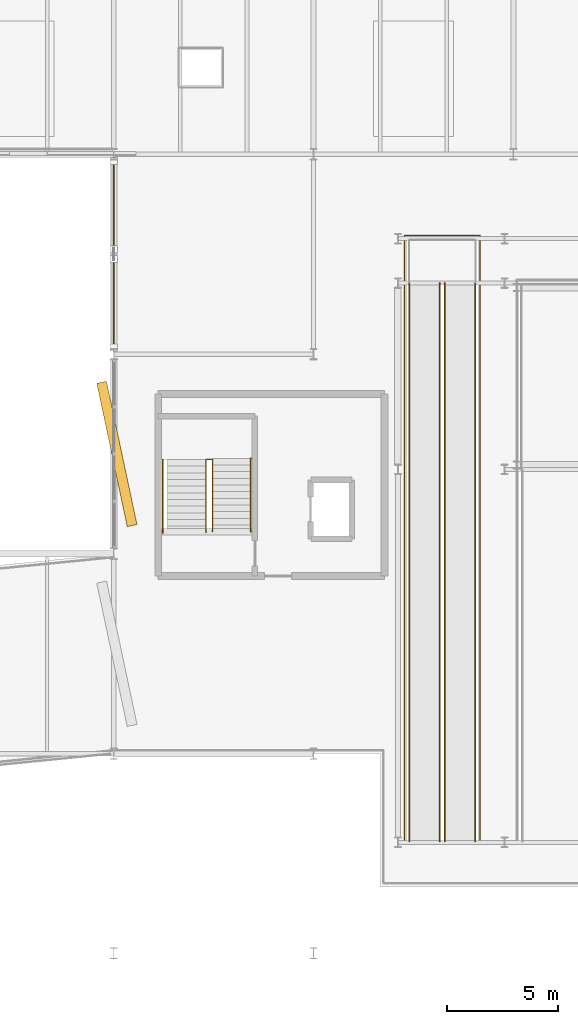
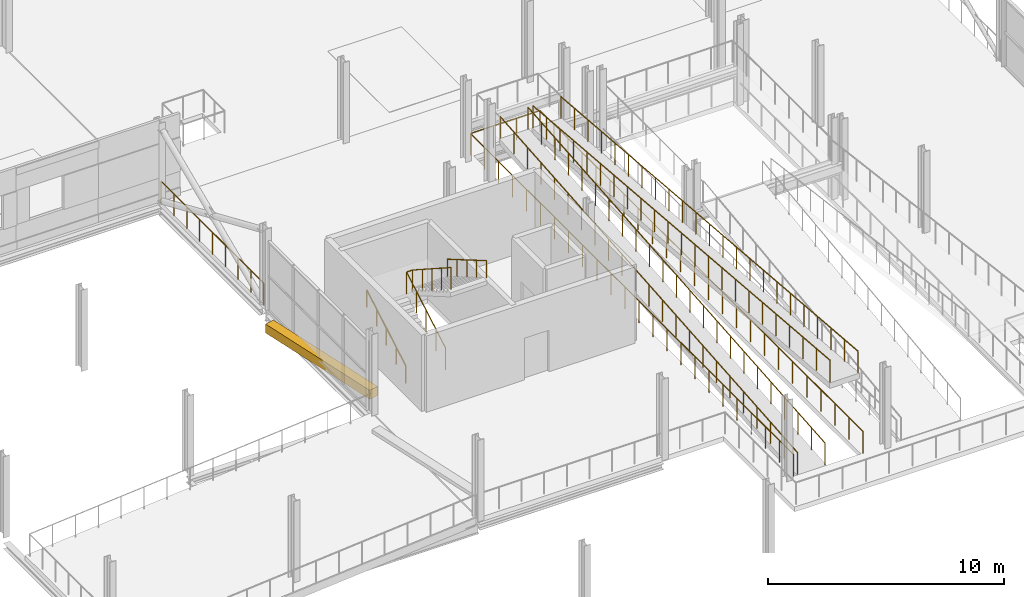
# One storey, part 126 of 135: 9 railings, 1 shading device.
"""IFC4 building model written with IfcOpenShell, lengths in metres."""

from ifc_helpers import new_model, si_unit, direction, frame, origin, origin_2d, place, context, subcontext, project, spatial, rectangle, circle, extrude, material, layer, layer_set, type_object, element, save


model = new_model("IFC4")

# Units and contexts
model_context = context("Model", 3, precision=1e-05, world=origin(), true_north=direction((0.0, 1.0)))
body_context = subcontext(model_context, "Body", "Model", "MODEL_VIEW")
ifc_project = project(units=[si_unit("LENGTHUNIT", "METRE"), si_unit("AREAUNIT", "SQUARE_METRE"), si_unit("VOLUMEUNIT", "CUBIC_METRE"), si_unit("PLANEANGLEUNIT", "RADIAN"), si_unit("MASSUNIT", "GRAM", prefix="KILO")], contexts=[model_context])

# Site, building, storey
site_placement = place(None, origin())
site = spatial("IfcSite", under=ifc_project, at=site_placement, CompositionType="ELEMENT")
building_placement = place(site_placement, origin())
building = spatial("IfcBuilding", under=site, at=building_placement, Name="Deido Ridge Mobility Hub", CompositionType="ELEMENT")
storey_placement = place(building_placement, frame((0.0, 0.0, 4.199951171875)))
storey = spatial("IfcBuildingStorey", under=building, at=storey_placement, Name="L01", CompositionType="ELEMENT", Elevation=4.199951171875)

# Railings
ifc_material_1 = material(Name="Galvanised steel work", Category="steel")
railing_type_1 = type_object("IfcRailingType", Name="RL-GRD-EXT-1150", PredefinedType="GUARDRAIL", material=ifc_material_1)
railing_1_placement = place(storey_placement, frame((72.0, 72.14990234375, 0.0)))
element("IfcRailing", 1, at=railing_1_placement, inside=storey, type_object=railing_type_1, Name="Braced bay perimeter guard (L01)", PredefinedType="GUARDRAIL", context=body_context, shape_type="SweptSolid", body=[
    extrude(circle(Radius=0.02392578125, at=origin_2d()), frame((0.0, 0.0, 1.1259765625), z_axis=(0.0, 1.0, 0.0), x_axis=(-1.0, 0.0, 0.0)), (0.0, 0.0, 1.0), 8.7001953125),
    extrude(circle(Radius=0.02099609375, at=origin_2d()), origin(), (0.0, 0.0, 1.0), 1.101806640625),
    extrude(circle(Radius=0.02099609375, at=origin_2d()), frame((0.0, 1.08740234375, 0.0)), (0.0, 0.0, 1.0), 1.101806640625),
    extrude(circle(Radius=0.02099609375, at=origin_2d()), frame((0.0, 2.175048828125, 0.0)), (0.0, 0.0, 1.0), 1.101806640625),
    extrude(circle(Radius=0.02099609375, at=origin_2d()), frame((0.0, 3.2626953125, 0.0)), (0.0, 0.0, 1.0), 1.101806640625),
    extrude(circle(Radius=0.02099609375, at=origin_2d()), frame((0.0, 4.35009765625, 0.0)), (0.0, 0.0, 1.0), 1.101806640625),
    extrude(circle(Radius=0.02099609375, at=origin_2d()), frame((0.0, 5.4375, 0.0)), (0.0, 0.0, 1.0), 1.101806640625),
    extrude(circle(Radius=0.02099609375, at=origin_2d()), frame((0.0, 6.525146484375, 0.0)), (0.0, 0.0, 1.0), 1.101806640625),
    extrude(circle(Radius=0.02099609375, at=origin_2d()), frame((0.0, 7.61279296875, 0.0)), (0.0, 0.0, 1.0), 1.101806640625),
    extrude(circle(Radius=0.02099609375, at=origin_2d()), frame((0.0, 8.7001953125, 0.0)), (0.0, 0.0, 1.0), 1.101806640625),
])
railing_2_placement = place(storey_placement, frame((85.10009765625, 50.0, 0.0)))
element("IfcRailing", 2, at=railing_2_placement, inside=storey, type_object=railing_type_1, Name="Cycle ramp well guard (L01)", PredefinedType="GUARDRAIL", context=body_context, shape_type="SweptSolid", body=[
    extrude(circle(Radius=0.02392578125, at=origin_2d()), frame((0.0, 0.0, 1.1259765625), z_axis=(0.0, 1.0, 0.0), x_axis=(-1.0, 0.0, 0.0)), (0.0, 0.0, 1.0), 27.35009765625),
    extrude(circle(Radius=0.02392578125, at=origin_2d()), frame((0.0, 27.35009765625, 1.1259765625), z_axis=(1.0, 0.0, 0.0), x_axis=(0.0, 1.0, 0.0)), (0.0, 0.0, 1.0), 3.39990234375),
    extrude(circle(Radius=0.02392578125, at=origin_2d()), frame((3.39990234375, 27.35009765625, 1.1259765625), z_axis=(0.0, -1.0, 0.0), x_axis=(1.0, 0.0, 0.0)), (0.0, 0.0, 1.0), 27.35009765625),
    extrude(circle(Radius=0.02099609375, at=origin_2d()), origin(), (0.0, 0.0, 1.0), 1.101806640625),
    extrude(circle(Radius=0.02099609375, at=origin_2d()), frame((0.0, 1.189208984375, 0.0)), (0.0, 0.0, 1.0), 1.101806640625),
    extrude(circle(Radius=0.02099609375, at=origin_2d()), frame((0.0, 2.378173828125, 0.0)), (0.0, 0.0, 1.0), 1.101806640625),
    extrude(circle(Radius=0.02099609375, at=origin_2d()), frame((0.0, 3.5673828125, 0.0)), (0.0, 0.0, 1.0), 1.101806640625),
    extrude(circle(Radius=0.02099609375, at=origin_2d()), frame((0.0, 4.756591796875, 0.0)), (0.0, 0.0, 1.0), 1.101806640625),
    extrude(circle(Radius=0.02099609375, at=origin_2d()), frame((0.0, 5.945556640625, 0.0)), (0.0, 0.0, 1.0), 1.101806640625),
    extrude(circle(Radius=0.02099609375, at=origin_2d()), frame((0.0, 7.134765625, 0.0)), (0.0, 0.0, 1.0), 1.101806640625),
    extrude(circle(Radius=0.02099609375, at=origin_2d()), frame((0.0, 8.323974609375, 0.0)), (0.0, 0.0, 1.0), 1.101806640625),
    extrude(circle(Radius=0.02099609375, at=origin_2d()), frame((0.0, 9.51318359375, 0.0)), (0.0, 0.0, 1.0), 1.101806640625),
    extrude(circle(Radius=0.02099609375, at=origin_2d()), frame((0.0, 10.7021484375, 0.0)), (0.0, 0.0, 1.0), 1.101806640625),
    extrude(circle(Radius=0.02099609375, at=origin_2d()), frame((0.0, 11.891357421875, 0.0)), (0.0, 0.0, 1.0), 1.101806640625),
    extrude(circle(Radius=0.02099609375, at=origin_2d()), frame((0.0, 13.08056640625, 0.0)), (0.0, 0.0, 1.0), 1.101806640625),
    extrude(circle(Radius=0.02099609375, at=origin_2d()), frame((0.0, 14.26953125, 0.0)), (0.0, 0.0, 1.0), 1.101806640625),
    extrude(circle(Radius=0.02099609375, at=origin_2d()), frame((0.0, 15.458740234375, 0.0)), (0.0, 0.0, 1.0), 1.101806640625),
    extrude(circle(Radius=0.02099609375, at=origin_2d()), frame((0.0, 16.64794921875, 0.0)), (0.0, 0.0, 1.0), 1.101806640625),
    extrude(circle(Radius=0.02099609375, at=origin_2d()), frame((0.0, 17.8369140625, 0.0)), (0.0, 0.0, 1.0), 1.101806640625),
    extrude(circle(Radius=0.02099609375, at=origin_2d()), frame((0.0, 19.026123046875, 0.0)), (0.0, 0.0, 1.0), 1.101806640625),
    extrude(circle(Radius=0.02099609375, at=origin_2d()), frame((0.0, 20.21533203125, 0.0)), (0.0, 0.0, 1.0), 1.101806640625),
    extrude(circle(Radius=0.02099609375, at=origin_2d()), frame((0.0, 21.404541015625, 0.0)), (0.0, 0.0, 1.0), 1.101806640625),
    extrude(circle(Radius=0.02099609375, at=origin_2d()), frame((0.0, 22.593505859375, 0.0)), (0.0, 0.0, 1.0), 1.101806640625),
    extrude(circle(Radius=0.02099609375, at=origin_2d()), frame((0.0, 23.78271484375, 0.0)), (0.0, 0.0, 1.0), 1.101806640625),
    extrude(circle(Radius=0.02099609375, at=origin_2d()), frame((0.0, 24.971923828125, 0.0)), (0.0, 0.0, 1.0), 1.101806640625),
    extrude(circle(Radius=0.02099609375, at=origin_2d()), frame((0.0, 26.160888671875, 0.0)), (0.0, 0.0, 1.0), 1.101806640625),
    extrude(circle(Radius=0.02099609375, at=origin_2d()), frame((0.0, 27.35009765625, 0.0)), (0.0, 0.0, 1.0), 1.101806640625),
    extrude(circle(Radius=0.02099609375, at=origin_2d()), frame((1.13330078125, 27.35009765625, 0.0)), (0.0, 0.0, 1.0), 1.101806640625),
    extrude(circle(Radius=0.02099609375, at=origin_2d()), frame((2.2666015625, 27.35009765625, 0.0)), (0.0, 0.0, 1.0), 1.101806640625),
    extrude(circle(Radius=0.02099609375, at=origin_2d()), frame((3.39990234375, 27.35009765625, 0.0)), (0.0, 0.0, 1.0), 1.101806640625),
    extrude(circle(Radius=0.02099609375, at=origin_2d()), frame((3.39990234375, 26.160888671875, 0.0)), (0.0, 0.0, 1.0), 1.101806640625),
    extrude(circle(Radius=0.02099609375, at=origin_2d()), frame((3.39990234375, 24.971923828125, 0.0)), (0.0, 0.0, 1.0), 1.101806640625),
    extrude(circle(Radius=0.02099609375, at=origin_2d()), frame((3.39990234375, 23.78271484375, 0.0)), (0.0, 0.0, 1.0), 1.101806640625),
    extrude(circle(Radius=0.02099609375, at=origin_2d()), frame((3.39990234375, 22.593505859375, 0.0)), (0.0, 0.0, 1.0), 1.101806640625),
    extrude(circle(Radius=0.02099609375, at=origin_2d()), frame((3.39990234375, 21.404541015625, 0.0)), (0.0, 0.0, 1.0), 1.101806640625),
    extrude(circle(Radius=0.02099609375, at=origin_2d()), frame((3.39990234375, 20.21533203125, 0.0)), (0.0, 0.0, 1.0), 1.101806640625),
    extrude(circle(Radius=0.02099609375, at=origin_2d()), frame((3.39990234375, 19.026123046875, 0.0)), (0.0, 0.0, 1.0), 1.101806640625),
    extrude(circle(Radius=0.02099609375, at=origin_2d()), frame((3.39990234375, 17.8369140625, 0.0)), (0.0, 0.0, 1.0), 1.101806640625),
    extrude(circle(Radius=0.02099609375, at=origin_2d()), frame((3.39990234375, 16.64794921875, 0.0)), (0.0, 0.0, 1.0), 1.101806640625),
    extrude(circle(Radius=0.02099609375, at=origin_2d()), frame((3.39990234375, 15.458740234375, 0.0)), (0.0, 0.0, 1.0), 1.101806640625),
    extrude(circle(Radius=0.02099609375, at=origin_2d()), frame((3.39990234375, 14.26953125, 0.0)), (0.0, 0.0, 1.0), 1.101806640625),
    extrude(circle(Radius=0.02099609375, at=origin_2d()), frame((3.39990234375, 13.08056640625, 0.0)), (0.0, 0.0, 1.0), 1.101806640625),
    extrude(circle(Radius=0.02099609375, at=origin_2d()), frame((3.39990234375, 11.891357421875, 0.0)), (0.0, 0.0, 1.0), 1.101806640625),
    extrude(circle(Radius=0.02099609375, at=origin_2d()), frame((3.39990234375, 10.7021484375, 0.0)), (0.0, 0.0, 1.0), 1.101806640625),
    extrude(circle(Radius=0.02099609375, at=origin_2d()), frame((3.39990234375, 9.51318359375, 0.0)), (0.0, 0.0, 1.0), 1.101806640625),
    extrude(circle(Radius=0.02099609375, at=origin_2d()), frame((3.39990234375, 8.323974609375, 0.0)), (0.0, 0.0, 1.0), 1.101806640625),
    extrude(circle(Radius=0.02099609375, at=origin_2d()), frame((3.39990234375, 7.134765625, 0.0)), (0.0, 0.0, 1.0), 1.101806640625),
    extrude(circle(Radius=0.02099609375, at=origin_2d()), frame((3.39990234375, 5.945556640625, 0.0)), (0.0, 0.0, 1.0), 1.101806640625),
    extrude(circle(Radius=0.02099609375, at=origin_2d()), frame((3.39990234375, 4.756591796875, 0.0)), (0.0, 0.0, 1.0), 1.101806640625),
    extrude(circle(Radius=0.02099609375, at=origin_2d()), frame((3.39990234375, 3.5673828125, 0.0)), (0.0, 0.0, 1.0), 1.101806640625),
    extrude(circle(Radius=0.02099609375, at=origin_2d()), frame((3.39990234375, 2.378173828125, 0.0)), (0.0, 0.0, 1.0), 1.101806640625),
    extrude(circle(Radius=0.02099609375, at=origin_2d()), frame((3.39990234375, 1.189208984375, 0.0)), (0.0, 0.0, 1.0), 1.101806640625),
    extrude(circle(Radius=0.02099609375, at=origin_2d()), frame((3.39990234375, 0.0, 0.0)), (0.0, 0.0, 1.0), 1.101806640625),
])
railing_3_placement = place(storey_placement, frame((85.320068359375, 50.050048828125, 0.0)))
element("IfcRailing", 3, at=railing_3_placement, inside=storey, type_object=railing_type_1, Name="Cycle ramp F1 guard (L01)", PredefinedType="GUARDRAIL", context=body_context, shape_type="SweptSolid", body=[
    extrude(circle(Radius=0.02392578125, at=origin_2d()), frame((0.0, 0.0, 1.1259765625), z_axis=(0.0, 0.996531733804, 0.083213601784), x_axis=(-1.0, 0.0, 0.0)), (0.0, 0.0, 1.0), 25.237548828125),
    extrude(circle(Radius=0.02099609375, at=origin_2d()), origin(), (0.0, 0.0, 1.0), 1.101806640625),
    extrude(circle(Radius=0.02099609375, at=origin_2d()), frame((0.0, 1.14306640625, 0.095458984375)), (0.0, 0.0, 1.0), 1.101806640625),
    extrude(circle(Radius=0.02099609375, at=origin_2d()), frame((0.0, 2.286376953125, 0.19091796875)), (0.0, 0.0, 1.0), 1.101806640625),
    extrude(circle(Radius=0.02099609375, at=origin_2d()), frame((0.0, 3.429443359375, 0.286376953125)), (0.0, 0.0, 1.0), 1.101806640625),
    extrude(circle(Radius=0.02099609375, at=origin_2d()), frame((0.0, 4.57275390625, 0.3818359375)), (0.0, 0.0, 1.0), 1.101806640625),
    extrude(circle(Radius=0.02099609375, at=origin_2d()), frame((0.0, 5.7158203125, 0.477294921875)), (0.0, 0.0, 1.0), 1.101806640625),
    extrude(circle(Radius=0.02099609375, at=origin_2d()), frame((0.0, 6.859130859375, 0.57275390625)), (0.0, 0.0, 1.0), 1.101806640625),
    extrude(circle(Radius=0.02099609375, at=origin_2d()), frame((0.0, 8.002197265625, 0.668212890625)), (0.0, 0.0, 1.0), 1.101806640625),
    extrude(circle(Radius=0.02099609375, at=origin_2d()), frame((0.0, 9.1455078125, 0.763671875)), (0.0, 0.0, 1.0), 1.101806640625),
    extrude(circle(Radius=0.02099609375, at=origin_2d()), frame((0.0, 10.28857421875, 0.859130859375)), (0.0, 0.0, 1.0), 1.101806640625),
    extrude(circle(Radius=0.02099609375, at=origin_2d()), frame((0.0, 11.431884765625, 0.95458984375)), (0.0, 0.0, 1.0), 1.101806640625),
    extrude(circle(Radius=0.02099609375, at=origin_2d()), frame((0.0, 12.574951171875, 1.050048828125)), (0.0, 0.0, 1.0), 1.101806640625),
    extrude(circle(Radius=0.02099609375, at=origin_2d()), frame((0.0, 13.718017578125, 1.1455078125)), (0.0, 0.0, 1.0), 1.101806640625),
    extrude(circle(Radius=0.02099609375, at=origin_2d()), frame((0.0, 14.861328125, 1.240966796875)), (0.0, 0.0, 1.0), 1.101806640625),
    extrude(circle(Radius=0.02099609375, at=origin_2d()), frame((0.0, 16.00439453125, 1.33642578125)), (0.0, 0.0, 1.0), 1.101806640625),
    extrude(circle(Radius=0.02099609375, at=origin_2d()), frame((0.0, 17.147705078125, 1.431884765625)), (0.0, 0.0, 1.0), 1.101806640625),
    extrude(circle(Radius=0.02099609375, at=origin_2d()), frame((0.0, 18.290771484375, 1.52734375)), (0.0, 0.0, 1.0), 1.101806640625),
    extrude(circle(Radius=0.02099609375, at=origin_2d()), frame((0.0, 19.43408203125, 1.622802734375)), (0.0, 0.0, 1.0), 1.101806640625),
    extrude(circle(Radius=0.02099609375, at=origin_2d()), frame((0.0, 20.5771484375, 1.71826171875)), (0.0, 0.0, 1.0), 1.101806640625),
    extrude(circle(Radius=0.02099609375, at=origin_2d()), frame((0.0, 21.720458984375, 1.813720703125)), (0.0, 0.0, 1.0), 1.101806640625),
    extrude(circle(Radius=0.02099609375, at=origin_2d()), frame((0.0, 22.863525390625, 1.9091796875)), (0.0, 0.0, 1.0), 1.101806640625),
    extrude(circle(Radius=0.02099609375, at=origin_2d()), frame((0.0, 24.0068359375, 2.004638671875)), (0.0, 0.0, 1.0), 1.101806640625),
    extrude(circle(Radius=0.02099609375, at=origin_2d()), frame((0.0, 25.14990234375, 2.10009765625)), (0.0, 0.0, 1.0), 1.101806640625),
])
railing_4_placement = place(storey_placement, frame((86.679931640625, 50.050048828125, 0.0)))
element("IfcRailing", 4, at=railing_4_placement, inside=storey, type_object=railing_type_1, Name="Cycle ramp F1 guard (L01)", PredefinedType="GUARDRAIL", context=body_context, shape_type="SweptSolid", body=[
    extrude(circle(Radius=0.02392578125, at=origin_2d()), frame((0.0, 0.0, 1.1259765625), z_axis=(0.0, 0.996531733804, 0.083213601784), x_axis=(-1.0, 0.0, 0.0)), (0.0, 0.0, 1.0), 25.237548828125),
    extrude(circle(Radius=0.02099609375, at=origin_2d()), origin(), (0.0, 0.0, 1.0), 1.101806640625),
    extrude(circle(Radius=0.02099609375, at=origin_2d()), frame((0.0, 1.14306640625, 0.095458984375)), (0.0, 0.0, 1.0), 1.101806640625),
    extrude(circle(Radius=0.02099609375, at=origin_2d()), frame((0.0, 2.286376953125, 0.19091796875)), (0.0, 0.0, 1.0), 1.101806640625),
    extrude(circle(Radius=0.02099609375, at=origin_2d()), frame((0.0, 3.429443359375, 0.286376953125)), (0.0, 0.0, 1.0), 1.101806640625),
    extrude(circle(Radius=0.02099609375, at=origin_2d()), frame((0.0, 4.57275390625, 0.3818359375)), (0.0, 0.0, 1.0), 1.101806640625),
    extrude(circle(Radius=0.02099609375, at=origin_2d()), frame((0.0, 5.7158203125, 0.477294921875)), (0.0, 0.0, 1.0), 1.101806640625),
    extrude(circle(Radius=0.02099609375, at=origin_2d()), frame((0.0, 6.859130859375, 0.57275390625)), (0.0, 0.0, 1.0), 1.101806640625),
    extrude(circle(Radius=0.02099609375, at=origin_2d()), frame((0.0, 8.002197265625, 0.668212890625)), (0.0, 0.0, 1.0), 1.101806640625),
    extrude(circle(Radius=0.02099609375, at=origin_2d()), frame((0.0, 9.1455078125, 0.763671875)), (0.0, 0.0, 1.0), 1.101806640625),
    extrude(circle(Radius=0.02099609375, at=origin_2d()), frame((0.0, 10.28857421875, 0.859130859375)), (0.0, 0.0, 1.0), 1.101806640625),
    extrude(circle(Radius=0.02099609375, at=origin_2d()), frame((0.0, 11.431884765625, 0.95458984375)), (0.0, 0.0, 1.0), 1.101806640625),
    extrude(circle(Radius=0.02099609375, at=origin_2d()), frame((0.0, 12.574951171875, 1.050048828125)), (0.0, 0.0, 1.0), 1.101806640625),
    extrude(circle(Radius=0.02099609375, at=origin_2d()), frame((0.0, 13.718017578125, 1.1455078125)), (0.0, 0.0, 1.0), 1.101806640625),
    extrude(circle(Radius=0.02099609375, at=origin_2d()), frame((0.0, 14.861328125, 1.240966796875)), (0.0, 0.0, 1.0), 1.101806640625),
    extrude(circle(Radius=0.02099609375, at=origin_2d()), frame((0.0, 16.00439453125, 1.33642578125)), (0.0, 0.0, 1.0), 1.101806640625),
    extrude(circle(Radius=0.02099609375, at=origin_2d()), frame((0.0, 17.147705078125, 1.431884765625)), (0.0, 0.0, 1.0), 1.101806640625),
    extrude(circle(Radius=0.02099609375, at=origin_2d()), frame((0.0, 18.290771484375, 1.52734375)), (0.0, 0.0, 1.0), 1.101806640625),
    extrude(circle(Radius=0.02099609375, at=origin_2d()), frame((0.0, 19.43408203125, 1.622802734375)), (0.0, 0.0, 1.0), 1.101806640625),
    extrude(circle(Radius=0.02099609375, at=origin_2d()), frame((0.0, 20.5771484375, 1.71826171875)), (0.0, 0.0, 1.0), 1.101806640625),
    extrude(circle(Radius=0.02099609375, at=origin_2d()), frame((0.0, 21.720458984375, 1.813720703125)), (0.0, 0.0, 1.0), 1.101806640625),
    extrude(circle(Radius=0.02099609375, at=origin_2d()), frame((0.0, 22.863525390625, 1.9091796875)), (0.0, 0.0, 1.0), 1.101806640625),
    extrude(circle(Radius=0.02099609375, at=origin_2d()), frame((0.0, 24.0068359375, 2.004638671875)), (0.0, 0.0, 1.0), 1.101806640625),
    extrude(circle(Radius=0.02099609375, at=origin_2d()), frame((0.0, 25.14990234375, 2.10009765625)), (0.0, 0.0, 1.0), 1.101806640625),
])
railing_5_placement = place(storey_placement, frame((86.919921875, 75.199951171875, 2.10009765625)))
element("IfcRailing", 5, at=railing_5_placement, inside=storey, type_object=railing_type_1, Name="Cycle ramp F2 guard (L01)", PredefinedType="GUARDRAIL", context=body_context, shape_type="SweptSolid", body=[
    extrude(circle(Radius=0.02392578125, at=origin_2d()), frame((0.0, 0.0, 1.1259765625), z_axis=(0.0, -0.996532535954, 0.083203995008), x_axis=(1.0, 0.0, 0.0)), (0.0, 0.0, 1.0), 25.2373046875),
    extrude(circle(Radius=0.02099609375, at=origin_2d()), origin(), (0.0, 0.0, 1.0), 1.101806640625),
    extrude(circle(Radius=0.02099609375, at=origin_2d()), frame((0.0, -1.14306640625, 0.095458984375)), (0.0, 0.0, 1.0), 1.101806640625),
    extrude(circle(Radius=0.02099609375, at=origin_2d()), frame((0.0, -2.286376953125, 0.19091796875)), (0.0, 0.0, 1.0), 1.101806640625),
    extrude(circle(Radius=0.02099609375, at=origin_2d()), frame((0.0, -3.429443359375, 0.286376953125)), (0.0, 0.0, 1.0), 1.101806640625),
    extrude(circle(Radius=0.02099609375, at=origin_2d()), frame((0.0, -4.57275390625, 0.3818359375)), (0.0, 0.0, 1.0), 1.101806640625),
    extrude(circle(Radius=0.02099609375, at=origin_2d()), frame((0.0, -5.7158203125, 0.477294921875)), (0.0, 0.0, 1.0), 1.101806640625),
    extrude(circle(Radius=0.02099609375, at=origin_2d()), frame((0.0, -6.859130859375, 0.57275390625)), (0.0, 0.0, 1.0), 1.101806640625),
    extrude(circle(Radius=0.02099609375, at=origin_2d()), frame((0.0, -8.002197265625, 0.668212890625)), (0.0, 0.0, 1.0), 1.101806640625),
    extrude(circle(Radius=0.02099609375, at=origin_2d()), frame((0.0, -9.1455078125, 0.763671875)), (0.0, 0.0, 1.0), 1.101806640625),
    extrude(circle(Radius=0.02099609375, at=origin_2d()), frame((0.0, -10.28857421875, 0.859130859375)), (0.0, 0.0, 1.0), 1.101806640625),
    extrude(circle(Radius=0.02099609375, at=origin_2d()), frame((0.0, -11.431884765625, 0.95458984375)), (0.0, 0.0, 1.0), 1.101806640625),
    extrude(circle(Radius=0.02099609375, at=origin_2d()), frame((0.0, -12.574951171875, 1.0498046875)), (0.0, 0.0, 1.0), 1.101806640625),
    extrude(circle(Radius=0.02099609375, at=origin_2d()), frame((0.0, -13.718017578125, 1.145263671875)), (0.0, 0.0, 1.0), 1.101806640625),
    extrude(circle(Radius=0.02099609375, at=origin_2d()), frame((0.0, -14.861328125, 1.24072265625)), (0.0, 0.0, 1.0), 1.101806640625),
    extrude(circle(Radius=0.02099609375, at=origin_2d()), frame((0.0, -16.00439453125, 1.336181640625)), (0.0, 0.0, 1.0), 1.101806640625),
    extrude(circle(Radius=0.02099609375, at=origin_2d()), frame((0.0, -17.147705078125, 1.431640625)), (0.0, 0.0, 1.0), 1.101806640625),
    extrude(circle(Radius=0.02099609375, at=origin_2d()), frame((0.0, -18.290771484375, 1.527099609375)), (0.0, 0.0, 1.0), 1.101806640625),
    extrude(circle(Radius=0.02099609375, at=origin_2d()), frame((0.0, -19.43408203125, 1.62255859375)), (0.0, 0.0, 1.0), 1.101806640625),
    extrude(circle(Radius=0.02099609375, at=origin_2d()), frame((0.0, -20.5771484375, 1.718017578125)), (0.0, 0.0, 1.0), 1.101806640625),
    extrude(circle(Radius=0.02099609375, at=origin_2d()), frame((0.0, -21.720458984375, 1.8134765625)), (0.0, 0.0, 1.0), 1.101806640625),
    extrude(circle(Radius=0.02099609375, at=origin_2d()), frame((0.0, -22.863525390625, 1.908935546875)), (0.0, 0.0, 1.0), 1.101806640625),
    extrude(circle(Radius=0.02099609375, at=origin_2d()), frame((0.0, -24.0068359375, 2.00439453125)), (0.0, 0.0, 1.0), 1.101806640625),
    extrude(circle(Radius=0.02099609375, at=origin_2d()), frame((0.0, -25.14990234375, 2.099853515625)), (0.0, 0.0, 1.0), 1.101806640625),
])
railing_6_placement = place(storey_placement, frame((88.280029296875, 75.199951171875, 2.10009765625)))
element("IfcRailing", 6, at=railing_6_placement, inside=storey, type_object=railing_type_1, Name="Cycle ramp F2 guard (L01)", PredefinedType="GUARDRAIL", context=body_context, shape_type="SweptSolid", body=[
    extrude(circle(Radius=0.02392578125, at=origin_2d()), frame((0.0, 0.0, 1.1259765625), z_axis=(0.0, -0.996532535954, 0.083203995008), x_axis=(1.0, 0.0, 0.0)), (0.0, 0.0, 1.0), 25.2373046875),
    extrude(circle(Radius=0.02099609375, at=origin_2d()), origin(), (0.0, 0.0, 1.0), 1.101806640625),
    extrude(circle(Radius=0.02099609375, at=origin_2d()), frame((0.0, -1.14306640625, 0.095458984375)), (0.0, 0.0, 1.0), 1.101806640625),
    extrude(circle(Radius=0.02099609375, at=origin_2d()), frame((0.0, -2.286376953125, 0.19091796875)), (0.0, 0.0, 1.0), 1.101806640625),
    extrude(circle(Radius=0.02099609375, at=origin_2d()), frame((0.0, -3.429443359375, 0.286376953125)), (0.0, 0.0, 1.0), 1.101806640625),
    extrude(circle(Radius=0.02099609375, at=origin_2d()), frame((0.0, -4.57275390625, 0.3818359375)), (0.0, 0.0, 1.0), 1.101806640625),
    extrude(circle(Radius=0.02099609375, at=origin_2d()), frame((0.0, -5.7158203125, 0.477294921875)), (0.0, 0.0, 1.0), 1.101806640625),
    extrude(circle(Radius=0.02099609375, at=origin_2d()), frame((0.0, -6.859130859375, 0.57275390625)), (0.0, 0.0, 1.0), 1.101806640625),
    extrude(circle(Radius=0.02099609375, at=origin_2d()), frame((0.0, -8.002197265625, 0.668212890625)), (0.0, 0.0, 1.0), 1.101806640625),
    extrude(circle(Radius=0.02099609375, at=origin_2d()), frame((0.0, -9.1455078125, 0.763671875)), (0.0, 0.0, 1.0), 1.101806640625),
    extrude(circle(Radius=0.02099609375, at=origin_2d()), frame((0.0, -10.28857421875, 0.859130859375)), (0.0, 0.0, 1.0), 1.101806640625),
    extrude(circle(Radius=0.02099609375, at=origin_2d()), frame((0.0, -11.431884765625, 0.95458984375)), (0.0, 0.0, 1.0), 1.101806640625),
    extrude(circle(Radius=0.02099609375, at=origin_2d()), frame((0.0, -12.574951171875, 1.0498046875)), (0.0, 0.0, 1.0), 1.101806640625),
    extrude(circle(Radius=0.02099609375, at=origin_2d()), frame((0.0, -13.718017578125, 1.145263671875)), (0.0, 0.0, 1.0), 1.101806640625),
    extrude(circle(Radius=0.02099609375, at=origin_2d()), frame((0.0, -14.861328125, 1.24072265625)), (0.0, 0.0, 1.0), 1.101806640625),
    extrude(circle(Radius=0.02099609375, at=origin_2d()), frame((0.0, -16.00439453125, 1.336181640625)), (0.0, 0.0, 1.0), 1.101806640625),
    extrude(circle(Radius=0.02099609375, at=origin_2d()), frame((0.0, -17.147705078125, 1.431640625)), (0.0, 0.0, 1.0), 1.101806640625),
    extrude(circle(Radius=0.02099609375, at=origin_2d()), frame((0.0, -18.290771484375, 1.527099609375)), (0.0, 0.0, 1.0), 1.101806640625),
    extrude(circle(Radius=0.02099609375, at=origin_2d()), frame((0.0, -19.43408203125, 1.62255859375)), (0.0, 0.0, 1.0), 1.101806640625),
    extrude(circle(Radius=0.02099609375, at=origin_2d()), frame((0.0, -20.5771484375, 1.718017578125)), (0.0, 0.0, 1.0), 1.101806640625),
    extrude(circle(Radius=0.02099609375, at=origin_2d()), frame((0.0, -21.720458984375, 1.8134765625)), (0.0, 0.0, 1.0), 1.101806640625),
    extrude(circle(Radius=0.02099609375, at=origin_2d()), frame((0.0, -22.863525390625, 1.908935546875)), (0.0, 0.0, 1.0), 1.101806640625),
    extrude(circle(Radius=0.02099609375, at=origin_2d()), frame((0.0, -24.0068359375, 2.00439453125)), (0.0, 0.0, 1.0), 1.101806640625),
    extrude(circle(Radius=0.02099609375, at=origin_2d()), frame((0.0, -25.14990234375, 2.099853515625)), (0.0, 0.0, 1.0), 1.101806640625),
])
railing_type_2 = type_object("IfcRailingType", Name="RL-STAIR-GRD-1150", PredefinedType="GUARDRAIL", material=ifc_material_1)
railing_7_placement = place(storey_placement, frame((76.14990234375, 63.949951171875, 0.175048828125)))
element("IfcRailing", 7, at=railing_7_placement, inside=storey, type_object=railing_type_2, Name="ST4 inner well guard (L01)", PredefinedType="GUARDRAIL", context=body_context, shape_type="SweptSolid", body=[
    extrude(circle(Radius=0.02392578125, at=origin_2d()), frame((0.0, 0.0, 1.1259765625), z_axis=(0.0, 0.863776583165, 0.503874998761), x_axis=(-1.0, 0.0, 0.0)), (0.0, 0.0, 1.0), 3.820556640625),
    extrude(circle(Radius=0.02392578125, at=origin_2d()), frame((0.0, 3.300048828125, 3.05078125), z_axis=(1.0, 0.0, 0.0), x_axis=(0.0, 1.0, 0.0)), (0.0, 0.0, 1.0), 0.300048828125),
    extrude(circle(Radius=0.02392578125, at=origin_2d()), frame((0.300048828125, 3.300048828125, 3.05078125), z_axis=(0.0, -0.839933924917, 0.542688678501), x_axis=(1.0, 0.0, 0.0)), (0.0, 0.0, 1.0), 3.869384765625),
    extrude(circle(Radius=0.02099609375, at=origin_2d()), origin(), (0.0, 0.0, 1.0), 1.101806640625),
    extrude(circle(Radius=0.02099609375, at=origin_2d()), frame((0.0, 0.824951171875, 0.481201171875)), (0.0, 0.0, 1.0), 1.101806640625),
    extrude(circle(Radius=0.02099609375, at=origin_2d()), frame((0.0, 1.64990234375, 0.96240234375)), (0.0, 0.0, 1.0), 1.101806640625),
    extrude(circle(Radius=0.02099609375, at=origin_2d()), frame((0.0, 2.47509765625, 1.44384765625)), (0.0, 0.0, 1.0), 1.101806640625),
    extrude(circle(Radius=0.02099609375, at=origin_2d()), frame((0.0, 3.300048828125, 1.925048828125)), (0.0, 0.0, 1.0), 1.101806640625),
    extrude(circle(Radius=0.02099609375, at=origin_2d()), frame((0.300048828125, 3.300048828125, 1.925048828125)), (0.0, 0.0, 1.0), 1.101806640625),
    extrude(circle(Radius=0.02099609375, at=origin_2d()), frame((0.300048828125, 2.487548828125, 2.449951171875)), (0.0, 0.0, 1.0), 1.101806640625),
    extrude(circle(Radius=0.02099609375, at=origin_2d()), frame((0.300048828125, 1.675048828125, 2.97509765625)), (0.0, 0.0, 1.0), 1.101806640625),
    extrude(circle(Radius=0.02099609375, at=origin_2d()), frame((0.300048828125, 0.862548828125, 3.5)), (0.0, 0.0, 1.0), 1.101806640625),
    extrude(circle(Radius=0.02099609375, at=origin_2d()), frame((0.300048828125, 0.050048828125, 4.02490234375)), (0.0, 0.0, 1.0), 1.101806640625),
])
ifc_material_2 = material(Name="Stainless steel 316", Category="steel")
railing_type_3 = type_object("IfcRailingType", Name="RL-STAIR-HND-900", PredefinedType="HANDRAIL", material=ifc_material_2)
railing_8_placement = place(storey_placement, frame((74.2099609375, 63.949951171875, 0.175048828125)))
element("IfcRailing", 8, at=railing_8_placement, inside=storey, type_object=railing_type_3, Name="ST4 flight 1 handrail (L01)", PredefinedType="HANDRAIL", context=body_context, shape_type="SweptSolid", body=[
    extrude(circle(Radius=0.02392578125, at=origin_2d()), frame((0.0, 0.0, 0.8759765625), z_axis=(0.0, 0.863776583165, 0.503874998761), x_axis=(-1.0, 0.0, 0.0)), (0.0, 0.0, 1.0), 3.820556640625),
    extrude(circle(Radius=0.02099609375, at=origin_2d()), origin(), (0.0, 0.0, 1.0), 0.851806640625),
    extrude(circle(Radius=0.02099609375, at=origin_2d()), frame((0.0, 0.824951171875, 0.481201171875)), (0.0, 0.0, 1.0), 0.851806640625),
    extrude(circle(Radius=0.02099609375, at=origin_2d()), frame((0.0, 1.64990234375, 0.96240234375)), (0.0, 0.0, 1.0), 0.851806640625),
    extrude(circle(Radius=0.02099609375, at=origin_2d()), frame((0.0, 2.47509765625, 1.44384765625)), (0.0, 0.0, 1.0), 0.851806640625),
    extrude(circle(Radius=0.02099609375, at=origin_2d()), frame((0.0, 3.300048828125, 1.925048828125)), (0.0, 0.0, 1.0), 0.851806640625),
])
railing_9_placement = place(storey_placement, frame((78.175048828125, 67.300048828125, 2.275146484375)))
element("IfcRailing", 9, at=railing_9_placement, inside=storey, type_object=railing_type_3, Name="ST4 flight 2 handrail (L01)", PredefinedType="HANDRAIL", context=body_context, shape_type="SweptSolid", body=[
    extrude(circle(Radius=0.02392578125, at=origin_2d()), frame((0.0, 0.0, 0.8759765625), z_axis=(0.0, -0.863804395585, 0.503827317807), x_axis=(1.0, 0.0, 0.0)), (0.0, 0.0, 1.0), 3.8203125),
    extrude(circle(Radius=0.02099609375, at=origin_2d()), origin(), (0.0, 0.0, 1.0), 0.851806640625),
    extrude(circle(Radius=0.02099609375, at=origin_2d()), frame((0.0, -0.824951171875, 0.481201171875)), (0.0, 0.0, 1.0), 0.851806640625),
    extrude(circle(Radius=0.02099609375, at=origin_2d()), frame((0.0, -1.64990234375, 0.96240234375)), (0.0, 0.0, 1.0), 0.851806640625),
    extrude(circle(Radius=0.02099609375, at=origin_2d()), frame((0.0, -2.47509765625, 1.443603515625)), (0.0, 0.0, 1.0), 0.851806640625),
    extrude(circle(Radius=0.02099609375, at=origin_2d()), frame((0.0, -3.300048828125, 1.9248046875)), (0.0, 0.0, 1.0), 0.851806640625),
])

# Shading device
ifc_material_3 = material(Name="Anodised aluminium EN AW-6063 T6", Category="aluminium")
ifc_layer = layer(ifc_material_3, 0.4599609375, Name="Anodised aluminium EN AW-6063 T6")
ifc_layer_set = layer_set([ifc_layer], Name="Anodised aluminium EN AW-6063 T6")
shading_device_type = type_object("IfcShadingDeviceType", Name="SHD-LOUVRE-450", PredefinedType="USERDEFINED", material=ifc_layer_set)
shading_device_placement = place(storey_placement, frame((72.139892578125, 67.5, -0.280029296875), z_axis=(0.0, 0.0, 1.0), x_axis=(-0.207911690818, 0.978147600734, 0.0)))
element("IfcShadingDevice", 10, at=shading_device_placement, inside=storey, type_object=shading_device_type, Name="Ramp gallery monsoon louvre SD3", ObjectType="LOUVRE", PredefinedType="USERDEFINED", context=body_context, shape_type="SweptSolid", body=[
    extrude(rectangle(XDim=6.60009765625, YDim=0.449951171875, at=origin_2d()), origin(), (0.0, 0.0, 1.0), 0.4599609375),
])

save(model, "model.ifc")
